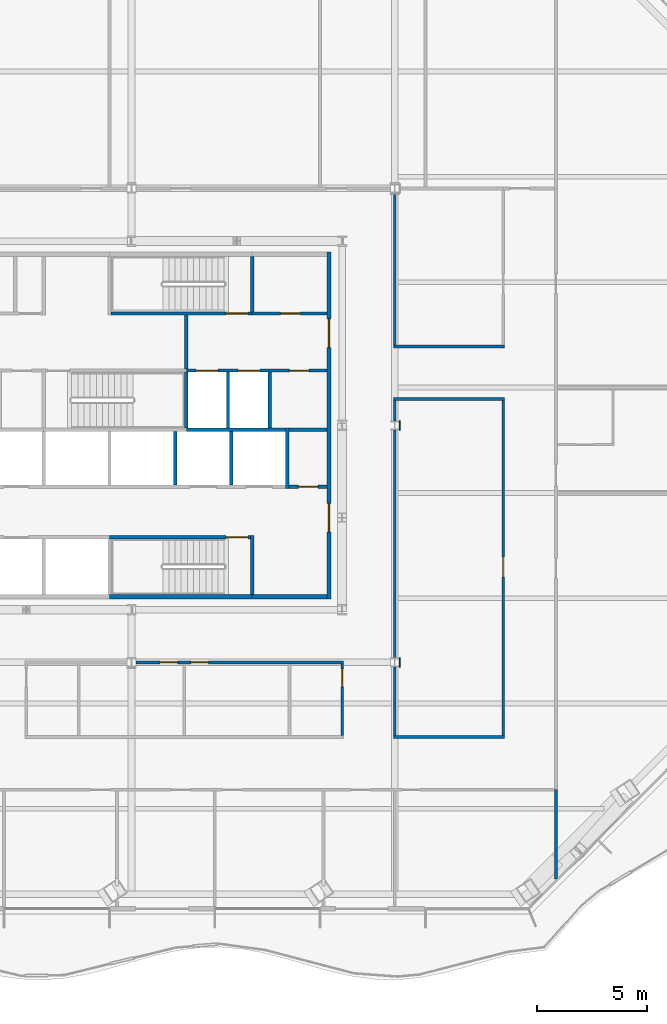
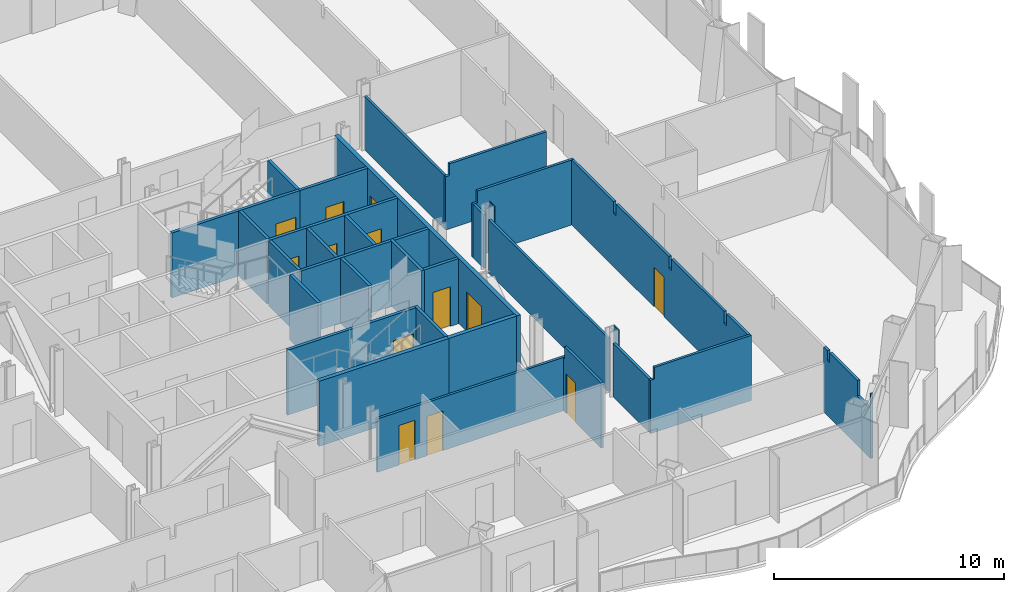
# One storey, part 10 of 21: 32 walls, 13 doors, 13 openings.
"""IFC4 building model written with IfcOpenShell, lengths in metres."""

from ifc_helpers import new_model, si_unit, direction, frame, frame_2d, origin, place, context, subcontext, project, spatial, polyline, rectangle, outline, extrude, material, layer, layer_set, type_object, element, fill, save


model = new_model("IFC4")

# Units and contexts
model_context = context("Model", 3, precision=1e-05, world=origin(), true_north=direction((0.0, 1.0)))
body_context = subcontext(model_context, "Body", "Model", "MODEL_VIEW")
ifc_project = project(units=[si_unit("LENGTHUNIT", "METRE"), si_unit("AREAUNIT", "SQUARE_METRE"), si_unit("VOLUMEUNIT", "CUBIC_METRE"), si_unit("PLANEANGLEUNIT", "RADIAN"), si_unit("MASSUNIT", "GRAM", prefix="KILO")], contexts=[model_context])

# Site, building, storey
site_placement = place(None, origin())
site = spatial("IfcSite", under=ifc_project, at=site_placement, CompositionType="ELEMENT")
building_placement = place(site_placement, origin())
building = spatial("IfcBuilding", under=site, at=building_placement, Name="Cairn Pilgrim Tower", CompositionType="ELEMENT")
storey_placement = place(building_placement, frame((0.0, 0.0, 108.60009765625)))
storey = spatial("IfcBuildingStorey", under=building, at=storey_placement, Name="L26", CompositionType="ELEMENT", Elevation=108.60009765625)

# Wall
ifc_material_1 = material(Name="Concrete C32/40", Category="concrete")
ifc_layer_1 = layer(ifc_material_1, 0.199951171875)
ifc_layer_set_1 = layer_set([ifc_layer_1], Name="CORE OUTER WALL 200 EI 120")
wall_type_1 = type_object("IfcWallType", Name="CORE OUTER WALL 200 EI 120", PredefinedType="SOLIDWALL", material=ifc_layer_set_1)
wall_1_placement = place(storey_placement, frame((12.699951171875, -5.39990234375, 0.0), z_axis=(0.0, 0.0, 1.0), x_axis=(1.0, 0.0, 0.0)))
element("IfcWall", 1, at=wall_1_placement, inside=storey, type_object=wall_type_1, Name="CW:L26:H01-3", PredefinedType="SOLIDWALL", context=body_context, shape_type="SweptSolid", body=[
    extrude(rectangle(XDim=3.400146484375, YDim=0.199951171875, at=frame_2d((1.7001953125, 0.0))), origin(), (0.0, 0.0, 1.0), 3.449951171875),
])

# Wall, openings, doors
wall_2_placement = place(storey_placement, frame((16.199951171875, -5.5, 0.0), z_axis=(0.0, 0.0, 1.0), x_axis=(0.0, 1.0, 0.0)))
wall_2 = element("IfcWall", 2, at=wall_2_placement, inside=storey, type_object=wall_type_1, Name="CW:L26:V34", PredefinedType="SOLIDWALL", context=body_context, shape_type="SweptSolid", body=[
    extrude(rectangle(XDim=15.800048828125, YDim=0.199951171875, at=frame_2d((7.89990234375, 0.0))), origin(), (0.0, 0.0, 1.0), 3.449951171875),
])
opening_1_placement = place(wall_2_placement, frame((3.050048828125, 0.0, 0.0)))
opening_1 = element("IfcOpeningElement", 3, at=opening_1_placement, cuts=wall_2, Name="Opening CD-E1", PredefinedType="OPENING", context=body_context, shape_type="SweptSolid", body=[
    extrude(rectangle(XDim=1.300048828125, YDim=2.10009765625, at=frame_2d((0.64990234375, 1.050048828125))), frame((0.0, 0.10986328125, 0.0), z_axis=(0.0, -1.0, 0.0), x_axis=(1.0, 0.0, 0.0)), (0.0, 0.0, 1.0), 0.219970703125),
])
opening_2_placement = place(wall_2_placement, frame((11.449951171875, 0.0, 0.0)))
opening_2 = element("IfcOpeningElement", 4, at=opening_2_placement, cuts=wall_2, Name="Opening CD-E2", PredefinedType="OPENING", context=body_context, shape_type="SweptSolid", body=[
    extrude(rectangle(XDim=1.300048828125, YDim=2.10009765625, at=frame_2d((0.64990234375, 1.050048828125))), frame((0.0, 0.10986328125, 0.0), z_axis=(0.0, -1.0, 0.0), x_axis=(1.0, 0.0, 0.0)), (0.0, 0.0, 1.0), 0.219970703125),
])
ifc_material_2 = material(Name="Painted steel", Category="steel")
door_type_1 = type_object("IfcDoorType", Name="CORE LOBBY DOOR 1300x2100", OperationType="DOUBLE_DOOR_SINGLE_SWING", PredefinedType="DOOR", material=ifc_material_2)
door_1_placement = place(opening_1_placement, origin())
door_1 = element("IfcDoor", 5, at=door_1_placement, inside=storey, type_object=door_type_1, Name="CD-E1", OperationType="DOUBLE_DOOR_SINGLE_SWING", OverallHeight=2.10009765625, OverallWidth=1.300048828125, PredefinedType="DOOR", context=body_context, shape_type="SweptSolid", body=[
    extrude(rectangle(XDim=1.300048828125, YDim=2.10009765625, at=frame_2d((0.64990234375, 1.050048828125))), frame((0.0, 0.02490234375, 0.0), z_axis=(0.0, -1.0, 0.0), x_axis=(1.0, 0.0, 0.0)), (0.0, 0.0, 1.0), 0.050048828125),
])
fill(opening_1, door_1)
door_2_placement = place(opening_2_placement, origin())
door_2 = element("IfcDoor", 6, at=door_2_placement, inside=storey, type_object=door_type_1, Name="CD-E2", OperationType="DOUBLE_DOOR_SINGLE_SWING", OverallHeight=2.10009765625, OverallWidth=1.300048828125, PredefinedType="DOOR", context=body_context, shape_type="SweptSolid", body=[
    extrude(rectangle(XDim=1.300048828125, YDim=2.10009765625, at=frame_2d((0.64990234375, 1.050048828125))), frame((0.0, 0.02490234375, 0.0), z_axis=(0.0, -1.0, 0.0), x_axis=(1.0, 0.0, 0.0)), (0.0, 0.0, 1.0), 0.050048828125),
])
fill(opening_2, door_2)

# Wall, opening, door
ifc_layer_2 = layer(ifc_material_1, 0.14990234375)
ifc_layer_set_2 = layer_set([ifc_layer_2], Name="CORE PARTITION 150 EI 60")
wall_type_2 = type_object("IfcWallType", Name="CORE PARTITION 150 EI 60", PredefinedType="PARTITIONING", material=ifc_layer_set_2)
wall_3_placement = place(storey_placement, frame((14.375, -0.39990234375, 0.0), z_axis=(0.0, 0.0, 1.0), x_axis=(1.0, 0.0, 0.0)))
wall_3 = element("IfcWall", 7, at=wall_3_placement, inside=storey, type_object=wall_type_2, Name="CW:L26:H04", PredefinedType="PARTITIONING", context=body_context, shape_type="SweptSolid", body=[
    extrude(rectangle(XDim=1.72509765625, YDim=0.14990234375, at=frame_2d((0.862548828125, 0.0))), origin(), (0.0, 0.0, 1.0), 3.449951171875),
])
opening_3_placement = place(wall_3_placement, frame((0.425048828125, 0.0, 0.0)))
opening_3 = element("IfcOpeningElement", 8, at=opening_3_placement, cuts=wall_3, Name="Opening RD-R2E", PredefinedType="OPENING", context=body_context, shape_type="SweptSolid", body=[
    extrude(rectangle(XDim=0.89990234375, YDim=2.10009765625, at=frame_2d((0.449951171875, 1.050048828125))), frame((0.0, 0.0849609375, 0.0), z_axis=(0.0, -1.0, 0.0), x_axis=(1.0, 0.0, 0.0)), (0.0, 0.0, 1.0), 0.169921875),
])
door_type_2 = type_object("IfcDoorType", Name="SERVICE ROOM DOOR 900x2100", OperationType="SINGLE_SWING_LEFT", PredefinedType="DOOR", material=ifc_material_2)
door_3_placement = place(opening_3_placement, origin())
door_3 = element("IfcDoor", 9, at=door_3_placement, inside=storey, type_object=door_type_2, Name="RD-R2E", OperationType="SINGLE_SWING_LEFT", OverallHeight=2.10009765625, OverallWidth=0.89990234375, PredefinedType="DOOR", context=body_context, shape_type="SweptSolid", body=[
    extrude(rectangle(XDim=0.89990234375, YDim=2.10009765625, at=frame_2d((0.449951171875, 1.050048828125))), frame((0.0, 0.02490234375, 0.0), z_axis=(0.0, -1.0, 0.0), x_axis=(1.0, 0.0, 0.0)), (0.0, 0.0, 1.0), 0.050048828125),
])
fill(opening_3, door_3)

# Walls
wall_4_placement = place(storey_placement, frame((14.375, 2.199951171875, 0.0), z_axis=(0.0, 0.0, 1.0), x_axis=(1.0, 0.0, 0.0)))
element("IfcWall", 10, at=wall_4_placement, inside=storey, type_object=wall_type_2, Name="CW:L26:H06", PredefinedType="PARTITIONING", context=body_context, shape_type="SweptSolid", body=[
    extrude(rectangle(XDim=1.72509765625, YDim=0.14990234375, at=frame_2d((0.862548828125, 0.0))), origin(), (0.0, 0.0, 1.0), 3.449951171875),
])
ifc_layer_3 = layer(ifc_material_1, 0.14990234375)
ifc_layer_set_3 = layer_set([ifc_layer_3], Name="CORE SHAFT WALL 150 EI 120")
wall_type_3 = type_object("IfcWallType", Name="CORE SHAFT WALL 150 EI 120", PredefinedType="SOLIDWALL", material=ifc_layer_set_3)
wall_5_placement = place(storey_placement, frame((9.699951171875, 2.199951171875, 0.0), z_axis=(0.0, 0.0, 1.0), x_axis=(1.0, 0.0, 0.0)))
element("IfcWall", 11, at=wall_5_placement, inside=storey, type_object=wall_type_3, Name="CW:L26:H05-3", PredefinedType="SOLIDWALL", context=body_context, shape_type="SweptSolid", body=[
    extrude(rectangle(XDim=4.525146484375, YDim=0.14990234375, at=frame_2d((2.2626953125, 0.0))), origin(), (0.0, 0.0, 1.0), 3.449951171875),
])

# Wall, openings, doors
wall_6_placement = place(storey_placement, frame((9.699951171875, 4.89990234375, 0.0), z_axis=(0.0, 0.0, 1.0), x_axis=(1.0, 0.0, 0.0)))
wall_6 = element("IfcWall", 12, at=wall_6_placement, inside=storey, type_object=wall_type_3, Name="CW:L26:H08-2", PredefinedType="SOLIDWALL", context=body_context, shape_type="SweptSolid", body=[
    extrude(rectangle(XDim=6.400146484375, YDim=0.14990234375, at=frame_2d((3.2001953125, 0.0))), origin(), (0.0, 0.0, 1.0), 3.449951171875),
])
opening_4_placement = place(wall_6_placement, frame((0.449951171875, 0.0, 0.0)))
opening_4 = element("IfcOpeningElement", 13, at=opening_4_placement, cuts=wall_6, Name="Opening LD-FF1", PredefinedType="OPENING", context=body_context, shape_type="SweptSolid", body=[
    extrude(rectangle(XDim=1.0, YDim=2.10009765625, at=frame_2d((0.5, 1.050048828125))), frame((0.0, 0.0849609375, 0.0), z_axis=(0.0, -1.0, 0.0), x_axis=(1.0, 0.0, 0.0)), (0.0, 0.0, 1.0), 0.169921875),
])
opening_5_placement = place(wall_6_placement, frame((2.35009765625, 0.0, 0.0)))
opening_5 = element("IfcOpeningElement", 14, at=opening_5_placement, cuts=wall_6, Name="Opening LD-FF2", PredefinedType="OPENING", context=body_context, shape_type="SweptSolid", body=[
    extrude(rectangle(XDim=1.0, YDim=2.10009765625, at=frame_2d((0.5, 1.050048828125))), frame((0.0, 0.0849609375, 0.0), z_axis=(0.0, -1.0, 0.0), x_axis=(1.0, 0.0, 0.0)), (0.0, 0.0, 1.0), 0.169921875),
])
opening_6_placement = place(wall_6_placement, frame((4.699951171875, 0.0, 0.0)))
opening_6 = element("IfcOpeningElement", 15, at=opening_6_placement, cuts=wall_6, Name="Opening RD-R3E", PredefinedType="OPENING", context=body_context, shape_type="SweptSolid", body=[
    extrude(rectangle(XDim=0.89990234375, YDim=2.10009765625, at=frame_2d((0.449951171875, 1.050048828125))), frame((0.0, 0.0849609375, 0.0), z_axis=(0.0, -1.0, 0.0), x_axis=(1.0, 0.0, 0.0)), (0.0, 0.0, 1.0), 0.169921875),
])
ifc_material_3 = material(Name="Stainless steel", Category="steel")
door_type_3 = type_object("IfcDoorType", Name="LIFT LANDING DOOR FIRE 1000x2100", OperationType="DOUBLE_DOOR_SLIDING", PredefinedType="DOOR", material=ifc_material_3)
door_4_placement = place(opening_4_placement, origin())
door_4 = element("IfcDoor", 16, at=door_4_placement, inside=storey, type_object=door_type_3, Name="LANDING DOOR FF1", OperationType="DOUBLE_DOOR_SLIDING", OverallHeight=2.10009765625, OverallWidth=1.0, PredefinedType="DOOR", context=body_context, shape_type="SweptSolid", body=[
    extrude(rectangle(XDim=1.0, YDim=2.10009765625, at=frame_2d((0.5, 1.050048828125))), frame((0.0, 0.02490234375, 0.0), z_axis=(0.0, -1.0, 0.0), x_axis=(1.0, 0.0, 0.0)), (0.0, 0.0, 1.0), 0.050048828125),
])
fill(opening_4, door_4)
door_5_placement = place(opening_5_placement, origin())
door_5 = element("IfcDoor", 17, at=door_5_placement, inside=storey, type_object=door_type_3, Name="LANDING DOOR FF2", OperationType="DOUBLE_DOOR_SLIDING", OverallHeight=2.10009765625, OverallWidth=1.0, PredefinedType="DOOR", context=body_context, shape_type="SweptSolid", body=[
    extrude(rectangle(XDim=1.0, YDim=2.10009765625, at=frame_2d((0.5, 1.050048828125))), frame((0.0, 0.02490234375, 0.0), z_axis=(0.0, -1.0, 0.0), x_axis=(1.0, 0.0, 0.0)), (0.0, 0.0, 1.0), 0.050048828125),
])
fill(opening_5, door_5)
door_6_placement = place(opening_6_placement, origin())
door_6 = element("IfcDoor", 18, at=door_6_placement, inside=storey, type_object=door_type_2, Name="RD-R3E", OperationType="SINGLE_SWING_RIGHT", OverallHeight=2.10009765625, OverallWidth=0.89990234375, PredefinedType="DOOR", context=body_context, shape_type="SweptSolid", body=[
    extrude(rectangle(XDim=0.89990234375, YDim=2.10009765625, at=frame_2d((0.449951171875, 1.050048828125))), frame((0.0, 0.02490234375, 0.0), z_axis=(0.0, -1.0, 0.0), x_axis=(1.0, 0.0, 0.0)), (0.0, 0.0, 1.0), 0.050048828125),
])
fill(opening_6, door_6)

# Wall, opening, door
wall_7_placement = place(storey_placement, frame((12.699951171875, 7.5, 0.0), z_axis=(0.0, 0.0, 1.0), x_axis=(1.0, 0.0, 0.0)))
wall_7 = element("IfcWall", 19, at=wall_7_placement, inside=storey, type_object=wall_type_3, Name="CW:L26:H10-2", PredefinedType="SOLIDWALL", context=body_context, shape_type="SweptSolid", body=[
    extrude(rectangle(XDim=3.400146484375, YDim=0.14990234375, at=frame_2d((1.7001953125, 0.0))), origin(), (0.0, 0.0, 1.0), 3.449951171875),
])
opening_7_placement = place(wall_7_placement, frame((1.300048828125, 0.0, 0.0)))
opening_7 = element("IfcOpeningElement", 20, at=opening_7_placement, cuts=wall_7, Name="Opening RD-R4E", PredefinedType="OPENING", context=body_context, shape_type="SweptSolid", body=[
    extrude(rectangle(XDim=0.89990234375, YDim=2.10009765625, at=frame_2d((0.449951171875, 1.050048828125))), frame((0.0, 0.0849609375, 0.0), z_axis=(0.0, -1.0, 0.0), x_axis=(1.0, 0.0, 0.0)), (0.0, 0.0, 1.0), 0.169921875),
])
door_7_placement = place(opening_7_placement, origin())
door_7 = element("IfcDoor", 21, at=door_7_placement, inside=storey, type_object=door_type_2, Name="RD-R4E", OperationType="SINGLE_SWING_LEFT", OverallHeight=2.10009765625, OverallWidth=0.89990234375, PredefinedType="DOOR", context=body_context, shape_type="SweptSolid", body=[
    extrude(rectangle(XDim=0.89990234375, YDim=2.10009765625, at=frame_2d((0.449951171875, 1.050048828125))), frame((0.0, 0.02490234375, 0.0), z_axis=(0.0, -1.0, 0.0), x_axis=(1.0, 0.0, 0.0)), (0.0, 0.0, 1.0), 0.050048828125),
])
fill(opening_7, door_7)

# Walls
for number, where, z_axis, x_axis, name in (
    (22, (9.199951171875, -0.324951171875, 0.0), (0.0, 0.0, 1.0), (0.0, 1.0, 0.0), "CW:L26:V25"),
    (23, (9.699951171875, 4.97509765625, 0.0), (0.0, 0.0, 1.0), (0.0, 1.0, 0.0), "CW:L26:V27"),
):
    element("IfcWall", number, at=place(storey_placement, frame(where, z_axis=z_axis, x_axis=x_axis)), inside=storey, type_object=wall_type_3, Name=name, PredefinedType="SOLIDWALL", context=body_context, shape_type="SweptSolid", body=[
        extrude(rectangle(XDim=2.449951171875, YDim=0.14990234375, at=frame_2d((1.22509765625, 0.0))), origin(), (0.0, 0.0, 1.0), 3.449951171875),
    ])
wall_8_placement = place(storey_placement, frame((11.60009765625, 2.27490234375, 0.0), z_axis=(0.0, 0.0, 1.0), x_axis=(0.0, 1.0, 0.0)))
element("IfcWall", 24, at=wall_8_placement, inside=storey, type_object=wall_type_3, Name="CW:L26:V28", PredefinedType="SOLIDWALL", context=body_context, shape_type="SweptSolid", body=[
    extrude(rectangle(XDim=2.550048828125, YDim=0.14990234375, at=frame_2d((1.27490234375, 0.0))), origin(), (0.0, 0.0, 1.0), 3.449951171875),
])
wall_9_placement = place(storey_placement, frame((11.75, -0.324951171875, 0.0), z_axis=(0.0, 0.0, 1.0), x_axis=(0.0, 1.0, 0.0)))
element("IfcWall", 25, at=wall_9_placement, inside=storey, type_object=wall_type_3, Name="CW:L26:V29", PredefinedType="SOLIDWALL", context=body_context, shape_type="SweptSolid", body=[
    extrude(rectangle(XDim=2.449951171875, YDim=0.14990234375, at=frame_2d((1.22509765625, 0.0))), origin(), (0.0, 0.0, 1.0), 3.449951171875),
])
wall_10_placement = place(storey_placement, frame((13.5, 2.27490234375, 0.0), z_axis=(0.0, 0.0, 1.0), x_axis=(0.0, 1.0, 0.0)))
element("IfcWall", 26, at=wall_10_placement, inside=storey, type_object=wall_type_3, Name="CW:L26:V32", PredefinedType="SOLIDWALL", context=body_context, shape_type="SweptSolid", body=[
    extrude(rectangle(XDim=2.550048828125, YDim=0.14990234375, at=frame_2d((1.27490234375, 0.0))), origin(), (0.0, 0.0, 1.0), 3.449951171875),
])
wall_11_placement = place(storey_placement, frame((14.300048828125, -0.47509765625, 0.0), z_axis=(0.0, 0.0, 1.0), x_axis=(0.0, 1.0, 0.0)))
element("IfcWall", 27, at=wall_11_placement, inside=storey, type_object=wall_type_3, Name="CW:L26:V33", PredefinedType="SOLIDWALL", context=body_context, shape_type="SweptSolid", body=[
    extrude(rectangle(XDim=2.75, YDim=0.14990234375, at=frame_2d((1.375, 0.0))), origin(), (0.0, 0.0, 1.0), 3.449951171875),
])
ifc_material_4 = material(Name="Gypsum partition")
ifc_layer_4 = layer(ifc_material_4, 0.125)
ifc_layer_set_4 = layer_set([ifc_layer_4], Name="PARTITION 125 DRYWALL EI 60")
wall_type_4 = type_object("IfcWallType", Name="PARTITION 125 DRYWALL EI 60", PredefinedType="PARTITIONING", material=ifc_layer_set_4)
wall_12_placement = place(storey_placement, frame((26.5419921875, -18.260498046875, 0.0), z_axis=(0.0, 0.0, 1.0), x_axis=(0.0, 1.0, 0.0)))
element("IfcWall", 28, at=wall_12_placement, inside=storey, type_object=wall_type_4, Name="PARTITION W013", PredefinedType="PARTITIONING", context=body_context, shape_type="SweptSolid", body=[
    extrude(outline(polyline([(0.0, 0.0), (4.060546875, 0.0), (4.060546875, 3.449951171875), (3.746826171875, 3.449951171875), (3.744873046875, 2.929931640625), (3.546875, 2.929931640625), (3.544921875, 3.449951171875), (1.139404296875, 3.449951171875), (1.137451171875, 2.6298828125), (0.024658203125, 2.6298828125), (0.022705078125, 3.449951171875), (0.0, 3.449951171875), (0.0, 0.0)])), frame((0.0, 0.0625, 0.0), z_axis=(0.0, -1.0, 0.0), x_axis=(1.0, 0.0, 0.0)), (0.0, 0.0, 1.0), 0.125),
])
wall_13_placement = place(storey_placement, frame((19.137451171875, -11.800048828125, 0.0), z_axis=(0.0, 0.0, 1.0), x_axis=(1.0, 0.0, 0.0)))
element("IfcWall", 29, at=wall_13_placement, inside=storey, type_object=wall_type_4, Name="PARTITION W020", PredefinedType="PARTITIONING", context=body_context, shape_type="SweptSolid", body=[
    extrude(outline(polyline([(0.0, 0.0), (5.067138671875, 0.0), (5.06689453125, 3.449951171875), (0.21240234375, 3.449951171875), (0.21044921875, 2.829833984375), (0.0, 2.829833984375), (0.0, 0.0)])), frame((0.0, 0.0625, 0.0), z_axis=(0.0, -1.0, 0.0), x_axis=(1.0, 0.0, 0.0)), (0.0, 0.0, 1.0), 0.125),
])

# Wall, opening, door
wall_14_placement = place(storey_placement, frame((16.800048828125, -11.737548828125, 0.0), z_axis=(0.0, 0.0, 1.0), x_axis=(0.0, 1.0, 0.0)))
wall_14 = element("IfcWall", 30, at=wall_14_placement, inside=storey, type_object=wall_type_4, Name="PARTITION W028", PredefinedType="PARTITIONING", context=body_context, shape_type="SweptSolid", body=[
    extrude(outline(polyline([(0.0, 0.0), (3.275146484375, 0.0), (3.27490234375, 2.829833984375), (3.1875, 2.829833984375), (3.185546875, 3.449951171875), (0.0, 3.449951171875), (0.0, 0.0)])), frame((0.0, 0.0625, 0.0), z_axis=(0.0, -1.0, 0.0), x_axis=(1.0, 0.0, 0.0)), (0.0, 0.0, 1.0), 0.125),
])
opening_8_placement = place(wall_14_placement, frame((2.237548828125, 0.0, 0.0)))
opening_8 = element("IfcOpeningElement", 31, at=opening_8_placement, cuts=wall_14, Name="Opening 2635", PredefinedType="OPENING", context=body_context, shape_type="SweptSolid", body=[
    extrude(rectangle(XDim=0.800048828125, YDim=2.10009765625, at=frame_2d((0.39990234375, 1.050048828125))), frame((0.0, 0.072509765625, 0.0), z_axis=(0.0, -1.0, 0.0), x_axis=(1.0, 0.0, 0.0)), (0.0, 0.0, 1.0), 0.14501953125),
])
ifc_material_5 = material(Name="Steel-faced fire door leaf", Category="steel")
door_type_4 = type_object("IfcDoorType", Name="FIRE DOOR 800x2100 FD30S", OperationType="NOTDEFINED", PredefinedType="DOOR", material=ifc_material_5)
door_8_placement = place(opening_8_placement, origin())
door_8 = element("IfcDoor", 32, at=door_8_placement, inside=storey, type_object=door_type_4, Name="DOOR 2635", OperationType="SINGLE_SWING_LEFT", OverallHeight=2.10009765625, OverallWidth=0.800048828125, PredefinedType="DOOR", context=body_context, shape_type="SweptSolid", body=[
    extrude(rectangle(XDim=0.800048828125, YDim=2.10009765625, at=frame_2d((0.39990234375, 1.050048828125))), frame((0.0, 0.02490234375, 0.0), z_axis=(0.0, -1.0, 0.0), x_axis=(1.0, 0.0, 0.0)), (0.0, 0.0, 1.0), 0.050048828125),
])
fill(opening_8, door_8)

# Wall
wall_15_placement = place(storey_placement, frame((19.199951171875, -11.737548828125, 0.0), z_axis=(0.0, 0.0, 1.0), x_axis=(0.0, 1.0, 0.0)))
element("IfcWall", 33, at=wall_15_placement, inside=storey, type_object=wall_type_4, Name="PARTITION W029", PredefinedType="PARTITIONING", context=body_context, shape_type="SweptSolid", body=[
    extrude(rectangle(XDim=3.125, YDim=0.125, at=frame_2d((1.5625, 0.0))), origin(), (0.0, 0.0, 1.0), 2.829833984375),
])

# Wall, opening, door
wall_16_placement = place(storey_placement, frame((24.14208984375, -11.737548828125, 0.0), z_axis=(0.0, 0.0, 1.0), x_axis=(0.0, 1.0, 0.0)))
wall_16 = element("IfcWall", 34, at=wall_16_placement, inside=storey, type_object=wall_type_4, Name="PARTITION W030", PredefinedType="PARTITIONING", context=body_context, shape_type="SweptSolid", body=[
    extrude(outline(polyline([(0.0, 0.0), (15.275146484375, 0.0), (15.27490234375, 3.449951171875), (11.6337890625, 3.449951171875), (11.6318359375, 2.829833984375), (11.413818359375, 2.829833984375), (11.411865234375, 3.449951171875), (6.833740234375, 3.449951171875), (6.831787109375, 2.829833984375), (6.61376953125, 2.829833984375), (6.61181640625, 3.449951171875), (2.03369140625, 3.449951171875), (2.03173828125, 2.829833984375), (1.813720703125, 2.829833984375), (1.811767578125, 3.449951171875), (0.0, 3.449951171875), (0.0, 0.0)])), frame((0.0, 0.0625, 0.0), z_axis=(0.0, -1.0, 0.0), x_axis=(1.0, 0.0, 0.0)), (0.0, 0.0, 1.0), 0.125),
])
opening_9_placement = place(wall_16_placement, frame((7.237548828125, 0.0, 0.0)))
opening_9 = element("IfcOpeningElement", 35, at=opening_9_placement, cuts=wall_16, Name="Opening 2625", PredefinedType="OPENING", context=body_context, shape_type="SweptSolid", body=[
    extrude(rectangle(XDim=0.89990234375, YDim=2.10009765625, at=frame_2d((0.449951171875, 1.050048828125))), frame((0.0, 0.072509765625, 0.0), z_axis=(0.0, -1.0, 0.0), x_axis=(1.0, 0.0, 0.0)), (0.0, 0.0, 1.0), 0.14501953125),
])
door_type_5 = type_object("IfcDoorType", Name="FIRE DOOR 900x2100 FD30S", OperationType="NOTDEFINED", PredefinedType="DOOR", material=ifc_material_5)
door_9_placement = place(opening_9_placement, origin())
door_9 = element("IfcDoor", 36, at=door_9_placement, inside=storey, type_object=door_type_5, Name="DOOR 2625", OperationType="SINGLE_SWING_LEFT", OverallHeight=2.10009765625, OverallWidth=0.89990234375, PredefinedType="DOOR", context=body_context, shape_type="SweptSolid", body=[
    extrude(rectangle(XDim=0.89990234375, YDim=2.10009765625, at=frame_2d((0.449951171875, 1.050048828125))), frame((0.0, 0.02490234375, 0.0), z_axis=(0.0, -1.0, 0.0), x_axis=(1.0, 0.0, 0.0)), (0.0, 0.0, 1.0), 0.050048828125),
])
fill(opening_9, door_9)

# Wall, openings, doors
wall_17_placement = place(storey_placement, frame((7.404541015625, -8.39990234375, 0.0), z_axis=(0.0, 0.0, 1.0), x_axis=(1.0, 0.0, 0.0)))
wall_17 = element("IfcWall", 37, at=wall_17_placement, inside=storey, type_object=wall_type_4, Name="PARTITION W034", PredefinedType="PARTITIONING", context=body_context, shape_type="SweptSolid", body=[
    extrude(rectangle(XDim=9.4580078125, YDim=0.125, at=frame_2d((4.72900390625, 0.0))), origin(), (0.0, 0.0, 1.0), 2.829833984375),
])
opening_10_placement = place(wall_17_placement, frame((1.095458984375, 0.0, 0.0)))
opening_10 = element("IfcOpeningElement", 38, at=opening_10_placement, cuts=wall_17, Name="Opening 2633", PredefinedType="OPENING", context=body_context, shape_type="SweptSolid", body=[
    extrude(rectangle(XDim=0.800048828125, YDim=2.10009765625, at=frame_2d((0.39990234375, 1.050048828125))), frame((0.0, 0.072509765625, 0.0), z_axis=(0.0, -1.0, 0.0), x_axis=(1.0, 0.0, 0.0)), (0.0, 0.0, 1.0), 0.14501953125),
])
opening_11_placement = place(wall_17_placement, frame((2.49560546875, 0.0, 0.0)))
opening_11 = element("IfcOpeningElement", 39, at=opening_11_placement, cuts=wall_17, Name="Opening 2634", PredefinedType="OPENING", context=body_context, shape_type="SweptSolid", body=[
    extrude(rectangle(XDim=0.800048828125, YDim=2.10009765625, at=frame_2d((0.39990234375, 1.050048828125))), frame((0.0, 0.072509765625, 0.0), z_axis=(0.0, -1.0, 0.0), x_axis=(1.0, 0.0, 0.0)), (0.0, 0.0, 1.0), 0.14501953125),
])
door_10_placement = place(opening_10_placement, frame((0.800048828125, 0.0, 0.0), z_axis=(0.0, 0.0, 1.0), x_axis=(-1.0, 0.0, 0.0)))
door_10 = element("IfcDoor", 40, at=door_10_placement, inside=storey, type_object=door_type_4, Name="DOOR 2633", OperationType="SINGLE_SWING_LEFT", OverallHeight=2.10009765625, OverallWidth=0.800048828125, PredefinedType="DOOR", context=body_context, shape_type="SweptSolid", body=[
    extrude(rectangle(XDim=0.800048828125, YDim=2.10009765625, at=frame_2d((0.39990234375, 1.050048828125))), frame((0.0, 0.02490234375, 0.0), z_axis=(0.0, -1.0, 0.0), x_axis=(1.0, 0.0, 0.0)), (0.0, 0.0, 1.0), 0.050048828125),
])
fill(opening_10, door_10)
door_11_placement = place(opening_11_placement, frame((0.800048828125, 0.0, 0.0), z_axis=(0.0, 0.0, 1.0), x_axis=(-1.0, 0.0, 0.0)))
door_11 = element("IfcDoor", 41, at=door_11_placement, inside=storey, type_object=door_type_4, Name="DOOR 2634", OperationType="SINGLE_SWING_RIGHT", OverallHeight=2.10009765625, OverallWidth=0.800048828125, PredefinedType="DOOR", context=body_context, shape_type="SweptSolid", body=[
    extrude(rectangle(XDim=0.800048828125, YDim=2.10009765625, at=frame_2d((0.39990234375, 1.050048828125))), frame((0.0, 0.02490234375, 0.0), z_axis=(0.0, -1.0, 0.0), x_axis=(1.0, 0.0, 0.0)), (0.0, 0.0, 1.0), 0.050048828125),
])
fill(opening_11, door_11)

# Walls
wall_18_placement = place(storey_placement, frame((19.199951171875, -8.1875, 0.0), z_axis=(0.0, 0.0, 1.0), x_axis=(0.0, 1.0, 0.0)))
element("IfcWall", 42, at=wall_18_placement, inside=storey, type_object=wall_type_4, Name="PARTITION W036", PredefinedType="PARTITIONING", context=body_context, shape_type="SweptSolid", body=[
    extrude(rectangle(XDim=10.375, YDim=0.125, at=frame_2d((5.1875, 0.0))), origin(), (0.0, 0.0, 1.0), 2.829833984375),
])
wall_19_placement = place(storey_placement, frame((19.199951171875, 2.612548828125, 0.0), z_axis=(0.0, 0.0, 1.0), x_axis=(0.0, 1.0, 0.0)))
element("IfcWall", 43, at=wall_19_placement, inside=storey, type_object=wall_type_4, Name="PARTITION W052", PredefinedType="PARTITIONING", context=body_context, shape_type="SweptSolid", body=[
    extrude(rectangle(XDim=0.925048828125, YDim=0.125, at=frame_2d((0.46240234375, 0.0))), origin(), (0.0, 0.0, 1.0), 2.829833984375),
])
for number, where, z_axis, x_axis, name in (
    (44, (19.137451171875, 3.60009765625, 0.0), (0.0, 0.0, 1.0), (1.0, 0.0, 0.0), "PARTITION W053"),
    (45, (19.137451171875, 6.0, 0.0), (0.0, 0.0, 1.0), (1.0, 0.0, 0.0), "PARTITION W057"),
):
    element("IfcWall", number, at=place(storey_placement, frame(where, z_axis=z_axis, x_axis=x_axis)), inside=storey, type_object=wall_type_4, Name=name, PredefinedType="PARTITIONING", context=body_context, shape_type="SweptSolid", body=[
        extrude(outline(polyline([(0.0, 0.0), (5.067138671875, 0.0), (5.06689453125, 3.449951171875), (0.21240234375, 3.449951171875), (0.21044921875, 2.829833984375), (0.0, 2.829833984375), (0.0, 0.0)])), frame((0.0, 0.0625, 0.0), z_axis=(0.0, -1.0, 0.0), x_axis=(1.0, 0.0, 0.0)), (0.0, 0.0, 1.0), 0.125),
    ])
wall_20_placement = place(storey_placement, frame((19.199951171875, 6.0625, 0.0), z_axis=(0.0, 0.0, 1.0), x_axis=(0.0, 1.0, 0.0)))
element("IfcWall", 46, at=wall_20_placement, inside=storey, type_object=wall_type_4, Name="PARTITION W058", PredefinedType="PARTITIONING", context=body_context, shape_type="SweptSolid", body=[
    extrude(rectangle(XDim=6.925048828125, YDim=0.125, at=frame_2d((3.46240234375, 0.0))), origin(), (0.0, 0.0, 1.0), 2.829833984375),
])
ifc_layer_5 = layer(ifc_material_4, 0.050048828125)
ifc_layer_set_5 = layer_set([ifc_layer_5], Name="PARTITION 50 DRYWALL EI 60")
wall_type_5 = type_object("IfcWallType", Name="PARTITION 50 DRYWALL EI 60", PredefinedType="PARTITIONING", material=ifc_layer_set_5)
for number, where, z_axis, x_axis, name in (
    (47, (19.429443359375, -8.612548828125, 0.0), (0.0, 0.0, 1.0), (0.0, 1.0, 0.0), "COLUMN CASING WC04"),
    (48, (19.429443359375, 2.1875, 0.0), (0.0, 0.0, 1.0), (0.0, 1.0, 0.0), "COLUMN CASING WC05"),
):
    element("IfcWall", number, at=place(storey_placement, frame(where, z_axis=z_axis, x_axis=x_axis)), inside=storey, type_object=wall_type_5, Name=name, PredefinedType="PARTITIONING", context=body_context, shape_type="SweptSolid", body=[
        extrude(rectangle(XDim=0.425048828125, YDim=0.050048828125, at=frame_2d((0.21240234375, 0.0))), origin(), (0.0, 0.0, 1.0), 3.449951171875),
    ])

# Wall, opening, door
ifc_material_6 = material(Name="Concrete C35/45", Category="concrete")
ifc_layer_6 = layer(ifc_material_6, 0.14990234375)
ifc_layer_set_6 = layer_set([ifc_layer_6], Name="STAIR SHAFT WALL 150 EI 120")
wall_type_6 = type_object("IfcWallType", Name="STAIR SHAFT WALL 150 EI 120", PredefinedType="SOLIDWALL", material=ifc_layer_set_6)
wall_21_placement = place(storey_placement, frame((6.199951171875, -2.699951171875, 0.0), z_axis=(0.0, 0.0, 1.0), x_axis=(1.0, 0.0, 0.0)))
wall_21 = element("IfcWall", 49, at=wall_21_placement, inside=storey, type_object=wall_type_6, Name="CW:L26:H02-2", PredefinedType="SOLIDWALL", context=body_context, shape_type="SweptSolid", body=[
    extrude(rectangle(XDim=6.425048828125, YDim=0.14990234375, at=frame_2d((3.21240234375, 0.0))), origin(), (0.0, 0.0, 1.0), 3.449951171875),
])
opening_12_placement = place(wall_21_placement, frame((5.300048828125, 0.0, 0.0)))
opening_12 = element("IfcOpeningElement", 50, at=opening_12_placement, cuts=wall_21, Name="Opening SD-A", PredefinedType="OPENING", context=body_context, shape_type="SweptSolid", body=[
    extrude(rectangle(XDim=1.0, YDim=2.10009765625, at=frame_2d((0.5, 1.050048828125))), frame((0.0, 0.0849609375, 0.0), z_axis=(0.0, -1.0, 0.0), x_axis=(1.0, 0.0, 0.0)), (0.0, 0.0, 1.0), 0.169921875),
])
door_type_6 = type_object("IfcDoorType", Name="STAIR DOOR FD60S 1000x2100", OperationType="SINGLE_SWING_LEFT", PredefinedType="DOOR", material=ifc_material_2)
door_12_placement = place(opening_12_placement, origin())
door_12 = element("IfcDoor", 51, at=door_12_placement, inside=storey, type_object=door_type_6, Name="SD-A", OperationType="SINGLE_SWING_RIGHT", OverallHeight=2.10009765625, OverallWidth=1.0, PredefinedType="DOOR", context=body_context, shape_type="SweptSolid", body=[
    extrude(rectangle(XDim=1.0, YDim=2.10009765625, at=frame_2d((0.5, 1.050048828125))), frame((0.0, 0.02490234375, 0.0), z_axis=(0.0, -1.0, 0.0), x_axis=(1.0, 0.0, 0.0)), (0.0, 0.0, 1.0), 0.050048828125),
])
fill(opening_12, door_12)

wall_22_placement = place(storey_placement, frame((6.27490234375, 7.5, 0.0), z_axis=(0.0, 0.0, 1.0), x_axis=(1.0, 0.0, 0.0)))
wall_22 = element("IfcWall", 52, at=wall_22_placement, inside=storey, type_object=wall_type_6, Name="CW:L26:H10-1", PredefinedType="SOLIDWALL", context=body_context, shape_type="SweptSolid", body=[
    extrude(rectangle(XDim=6.425048828125, YDim=0.14990234375, at=frame_2d((3.21240234375, 0.0))), origin(), (0.0, 0.0, 1.0), 3.449951171875),
])
opening_13_placement = place(wall_22_placement, frame((5.22509765625, 0.0, 0.0)))
opening_13 = element("IfcOpeningElement", 53, at=opening_13_placement, cuts=wall_22, Name="Opening SD-C", PredefinedType="OPENING", context=body_context, shape_type="SweptSolid", body=[
    extrude(rectangle(XDim=1.0, YDim=2.10009765625, at=frame_2d((0.5, 1.050048828125))), frame((0.0, 0.0849609375, 0.0), z_axis=(0.0, -1.0, 0.0), x_axis=(1.0, 0.0, 0.0)), (0.0, 0.0, 1.0), 0.169921875),
])
door_13_placement = place(opening_13_placement, origin())
door_13 = element("IfcDoor", 54, at=door_13_placement, inside=storey, type_object=door_type_6, Name="SD-C", OperationType="SINGLE_SWING_RIGHT", OverallHeight=2.10009765625, OverallWidth=1.0, PredefinedType="DOOR", context=body_context, shape_type="SweptSolid", body=[
    extrude(rectangle(XDim=1.0, YDim=2.10009765625, at=frame_2d((0.5, 1.050048828125))), frame((0.0, 0.02490234375, 0.0), z_axis=(0.0, -1.0, 0.0), x_axis=(1.0, 0.0, 0.0)), (0.0, 0.0, 1.0), 0.050048828125),
])
fill(opening_13, door_13)

# Walls
wall_23_placement = place(storey_placement, frame((9.699951171875, 2.27490234375, 0.0), z_axis=(0.0, 0.0, 1.0), x_axis=(0.0, 1.0, 0.0)))
element("IfcWall", 55, at=wall_23_placement, inside=storey, type_object=wall_type_6, Name="CW:L26:V26", PredefinedType="SOLIDWALL", context=body_context, shape_type="SweptSolid", body=[
    extrude(rectangle(XDim=2.550048828125, YDim=0.14990234375, at=frame_2d((1.27490234375, 0.0))), origin(), (0.0, 0.0, 1.0), 3.449951171875),
])
wall_24_placement = place(storey_placement, frame((12.699951171875, -5.300048828125, 0.0), z_axis=(0.0, 0.0, 1.0), x_axis=(0.0, 1.0, 0.0)))
element("IfcWall", 56, at=wall_24_placement, inside=storey, type_object=wall_type_6, Name="CW:L26:V30", PredefinedType="SOLIDWALL", context=body_context, shape_type="SweptSolid", body=[
    extrude(rectangle(XDim=2.675048828125, YDim=0.14990234375, at=frame_2d((1.33740234375, 0.0))), origin(), (0.0, 0.0, 1.0), 3.449951171875),
])
wall_25_placement = place(storey_placement, frame((12.699951171875, 7.574951171875, 0.0), z_axis=(0.0, 0.0, 1.0), x_axis=(0.0, 1.0, 0.0)))
element("IfcWall", 57, at=wall_25_placement, inside=storey, type_object=wall_type_6, Name="CW:L26:V31", PredefinedType="SOLIDWALL", context=body_context, shape_type="SweptSolid", body=[
    extrude(rectangle(XDim=2.525146484375, YDim=0.14990234375, at=frame_2d((1.2626953125, 0.0))), origin(), (0.0, 0.0, 1.0), 3.449951171875),
])
ifc_layer_7 = layer(ifc_material_6, 0.199951171875)
ifc_layer_set_7 = layer_set([ifc_layer_7], Name="STAIR SHAFT WALL 200 EI 120")
wall_type_7 = type_object("IfcWallType", Name="STAIR SHAFT WALL 200 EI 120", PredefinedType="SOLIDWALL", material=ifc_layer_set_7)
wall_26_placement = place(storey_placement, frame((6.199951171875, -5.39990234375, 0.0), z_axis=(0.0, 0.0, 1.0), x_axis=(1.0, 0.0, 0.0)))
element("IfcWall", 58, at=wall_26_placement, inside=storey, type_object=wall_type_7, Name="CW:L26:H01-2", PredefinedType="SOLIDWALL", context=body_context, shape_type="SweptSolid", body=[
    extrude(rectangle(XDim=6.5, YDim=0.199951171875, at=frame_2d((3.25, 0.0))), origin(), (0.0, 0.0, 1.0), 3.449951171875),
])

save(model, "model.ifc")
